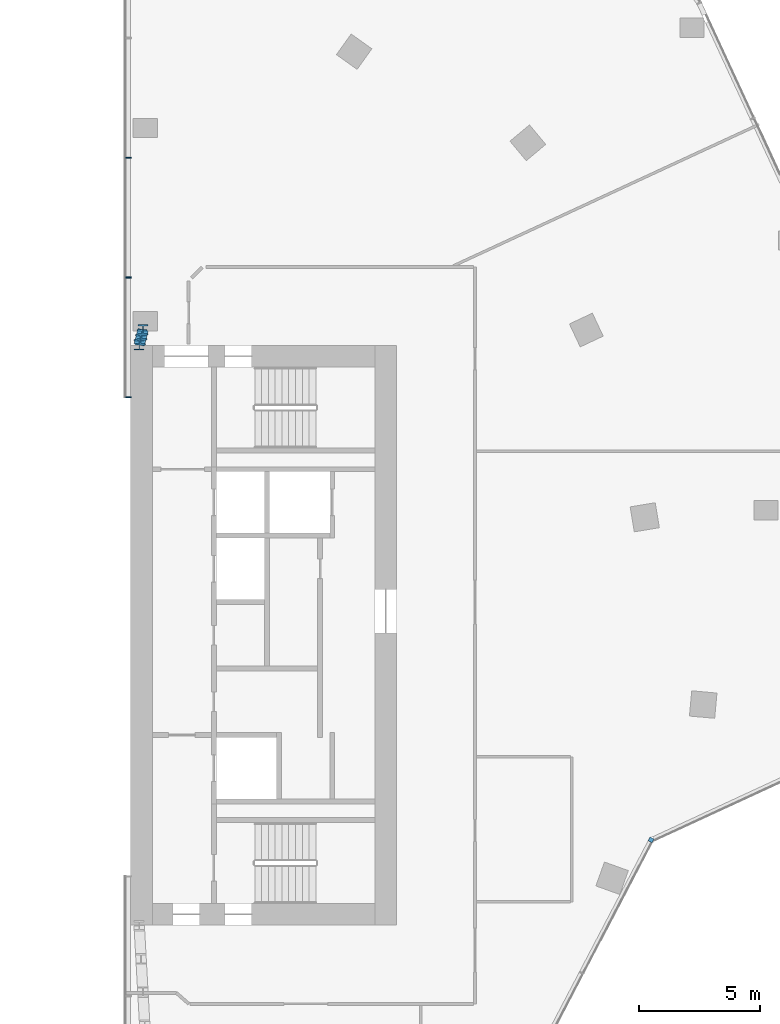
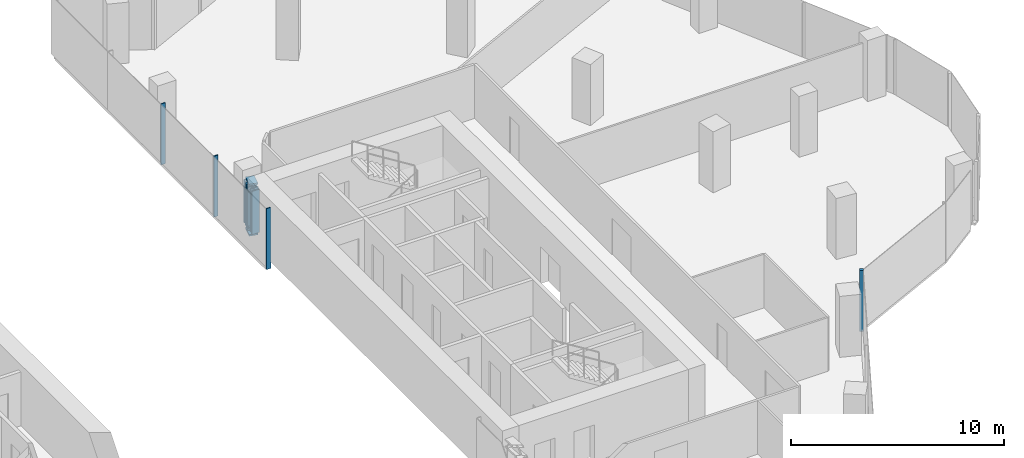
# One storey, part 7 of 23: 10 members, 2 elements without a shape of their own.
"""IFC4 building model written with IfcOpenShell, lengths in metres."""

from ifc_helpers import new_model, si_unit, direction, frame, origin, origin_2d, place, context, subcontext, project, spatial, rectangle, i_section, extrude, material, material_profile, profile_set, type_object, element, aggregate, save


model = new_model("IFC4")

# Units and contexts
model_context = context("Model", 3, precision=1e-05, world=origin(), true_north=direction((0.0, 1.0)))
body_context = subcontext(model_context, "Body", "Model", "MODEL_VIEW")
ifc_project = project(units=[si_unit("LENGTHUNIT", "METRE"), si_unit("AREAUNIT", "SQUARE_METRE"), si_unit("VOLUMEUNIT", "CUBIC_METRE"), si_unit("PLANEANGLEUNIT", "RADIAN"), si_unit("MASSUNIT", "GRAM", prefix="KILO")], contexts=[model_context])

# Site, building, storey
site_placement = place(None, origin())
site = spatial("IfcSite", under=ifc_project, at=site_placement, CompositionType="ELEMENT")
building_placement = place(site_placement, origin())
building = spatial("IfcBuilding", under=site, at=building_placement, Name="Orlundy Tower", CompositionType="ELEMENT")
storey_placement = place(building_placement, frame((0.0, 0.0, 260.5)))
storey = spatial("IfcBuildingStorey", under=building, at=storey_placement, Name="L69", CompositionType="ELEMENT", Elevation=260.5)

# Curtain wall, member
ifc_material_1 = material(Name="Aluminium bronze anodised", Category="aluminium")
curtain_wall_type = type_object("IfcCurtainWallType", Name="CW1 wall", PredefinedType="NOTDEFINED", material=ifc_material_1)
curtain_wall_1_placement = place(storey_placement, origin())
curtain_wall_1 = element("IfcCurtainWall", 1, at=curtain_wall_1_placement, inside=storey, type_object=curtain_wall_type, Name="CW1 run 111", PredefinedType="NOTDEFINED")
ifc_material_2 = material(Name="Aluminium bronze anodised", Category="aluminium")
ifc_material_profile_1 = material_profile(ifc_material_2, rectangle(XDim=0.179931640625, YDim=0.179931640625, at=origin_2d()), Name="CW1 corner post 180x180")
ifc_profile_set_1 = profile_set([ifc_material_profile_1], Name="Aluminium bronze anodised")
member_type_1 = type_object("IfcMemberType", Name="CW1 corner post 180x180", PredefinedType="MULLION", material=ifc_profile_set_1)
member_1_placement = place(storey_placement, frame((29.534423828125, -8.46875, -0.39990234375), z_axis=(0.0, 0.0, 1.0), x_axis=(0.885660617608, -0.464333145939, 0.0)))
member_1 = element("IfcMember", 2, at=member_1_placement, type_object=member_type_1, Name="CW1 mullion 16", PredefinedType="MULLION", context=body_context, shape_type="SweptSolid", body=[
    extrude(rectangle(XDim=0.179931640625, YDim=0.179931640625, at=origin_2d()), origin(), (0.0, 0.0, 1.0), 3.5),
])
aggregate(curtain_wall_1, [member_1])

# Curtain wall, members
curtain_wall_2_placement = place(storey_placement, origin())
curtain_wall_2 = element("IfcCurtainWall", 3, at=curtain_wall_2_placement, inside=storey, type_object=curtain_wall_type, Name="CW1 run 118", PredefinedType="NOTDEFINED")
ifc_material_3 = material(Name="Aluminium bronze anodised", Category="aluminium")
ifc_material_profile_2 = material_profile(ifc_material_3, rectangle(XDim=0.239990234375, YDim=0.050048828125, at=origin_2d()), Name="CW6 mullion 50x240")
ifc_profile_set_2 = profile_set([ifc_material_profile_2], Name="Aluminium bronze anodised")
member_type_2 = type_object("IfcMemberType", Name="CW6 mullion 50x240", PredefinedType="MULLION", material=ifc_profile_set_2)
member_2_placement = place(storey_placement, frame((7.909912109375, 9.8515625, -0.39990234375), z_axis=(0.0, 0.0, 1.0), x_axis=(-1.0, 0.0, 0.0)))
member_2 = element("IfcMember", 4, at=member_2_placement, type_object=member_type_2, Name="CW6 mullion 36", PredefinedType="MULLION", context=body_context, shape_type="SweptSolid", body=[
    extrude(rectangle(XDim=0.239990234375, YDim=0.050048828125, at=origin_2d()), origin(), (0.0, 0.0, 1.0), 3.5),
])
member_3_placement = place(storey_placement, frame((7.909912109375, 14.808349609375, -0.39990234375), z_axis=(0.0, 0.0, 1.0), x_axis=(-1.0, 0.0, 0.0)))
member_3 = element("IfcMember", 5, at=member_3_placement, type_object=member_type_2, Name="CW6 mullion 37", PredefinedType="MULLION", context=body_context, shape_type="SweptSolid", body=[
    extrude(rectangle(XDim=0.239990234375, YDim=0.050048828125, at=origin_2d()), origin(), (0.0, 0.0, 1.0), 3.5),
])
member_4_placement = place(storey_placement, frame((7.909912109375, 19.765380859375, -0.39990234375), z_axis=(0.0, 0.0, 1.0), x_axis=(-1.0, 0.0, 0.0)))
member_4 = element("IfcMember", 6, at=member_4_placement, type_object=member_type_2, Name="CW6 mullion 38", PredefinedType="MULLION", context=body_context, shape_type="SweptSolid", body=[
    extrude(rectangle(XDim=0.239990234375, YDim=0.050048828125, at=origin_2d()), origin(), (0.0, 0.0, 1.0), 3.5),
])
aggregate(curtain_wall_2, [member_2, member_3, member_4])

# Members
ifc_material_4 = material(Name="Steel ASTM A992 Gr 50", Category="steel")
ifc_material_profile_3 = material_profile(ifc_material_4, i_section(OverallWidth=0.43212890625, OverallDepth=0.497802734375, WebThickness=0.0556640625, FlangeThickness=0.0888671875, at=origin_2d()), Name="W14X500")
ifc_profile_set_3 = profile_set([ifc_material_profile_3], Name="Steel ASTM A992 Gr 50")
member_type_3 = type_object("IfcMemberType", Name="PORTAL EDGE TRUSS chord W14X500", PredefinedType="CHORD", material=ifc_profile_set_3)
for number, where, z_axis, x_axis, name in (
    (7, (8.35009765625, 12.02001953125, 0.28466796875), (0.247031311842, 0.969007497891, 0.0), (-0.969007497891, 0.247031311842, 0.0), "Portal edge truss bottom chord PE-EN"),
    (8, (8.35009765625, 12.02001953125, 2.765380859375), (0.247031311842, 0.969007497891, 0.0), (-0.969007497891, 0.247031311842, 0.0), "Portal edge truss top chord PE-EN"),
):
    element("IfcMember", number, at=place(storey_placement, frame(where, z_axis=z_axis, x_axis=x_axis)), inside=storey, type_object=member_type_3, Name=name, PredefinedType="CHORD", context=body_context, shape_type="SweptSolid", body=[
        extrude(i_section(OverallWidth=0.43212890625, OverallDepth=0.497802734375, WebThickness=0.0556640625, FlangeThickness=0.0888671875, at=origin_2d()), origin(), (0.0, 0.0, 1.0), 0.6513671875),
    ])
ifc_material_5 = material(Name="Steel ASTM A992 Gr 50", Category="steel")
ifc_material_profile_4 = material_profile(ifc_material_5, i_section(OverallWidth=0.412109375, OverallDepth=0.434814453125, WebThickness=0.035888671875, FlangeThickness=0.057373046875, at=origin_2d()), Name="W14X311")
ifc_profile_set_4 = profile_set([ifc_material_profile_4], Name="Steel ASTM A992 Gr 50")
member_type_4 = type_object("IfcMemberType", Name="PORTAL EDGE TRUSS post W14X311", PredefinedType="POST", material=ifc_profile_set_4)
for number, where, z_axis, x_axis, name in (
    (9, (8.35009765625, 12.02001953125, 0.28466796875), (0.0, 0.0, 1.0), (1.0, 0.0, 0.0), "Portal edge truss post PE-EN-0"),
    (10, (8.40380859375, 12.23046875, 0.28466796875), (0.0, 0.0, 1.0), (1.0, 0.0, 0.0), "Portal edge truss post PE-EN-1"),
    (11, (8.457275390625, 12.44091796875, 0.28466796875), (0.0, 0.0, 1.0), (1.0, 0.0, 0.0), "Portal edge truss post PE-EN-2"),
    (12, (8.510986328125, 12.651123046875, 0.28466796875), (0.0, 0.0, 1.0), (1.0, 0.0, 0.0), "Portal edge truss post PE-EN-3"),
):
    element("IfcMember", number, at=place(storey_placement, frame(where, z_axis=z_axis, x_axis=x_axis)), inside=storey, type_object=member_type_4, Name=name, PredefinedType="POST", context=body_context, shape_type="SweptSolid", body=[
        extrude(i_section(OverallWidth=0.412109375, OverallDepth=0.434814453125, WebThickness=0.035888671875, FlangeThickness=0.057373046875, at=origin_2d()), origin(), (0.0, 0.0, 1.0), 2.480712890625),
    ])

save(model, "model.ifc")
